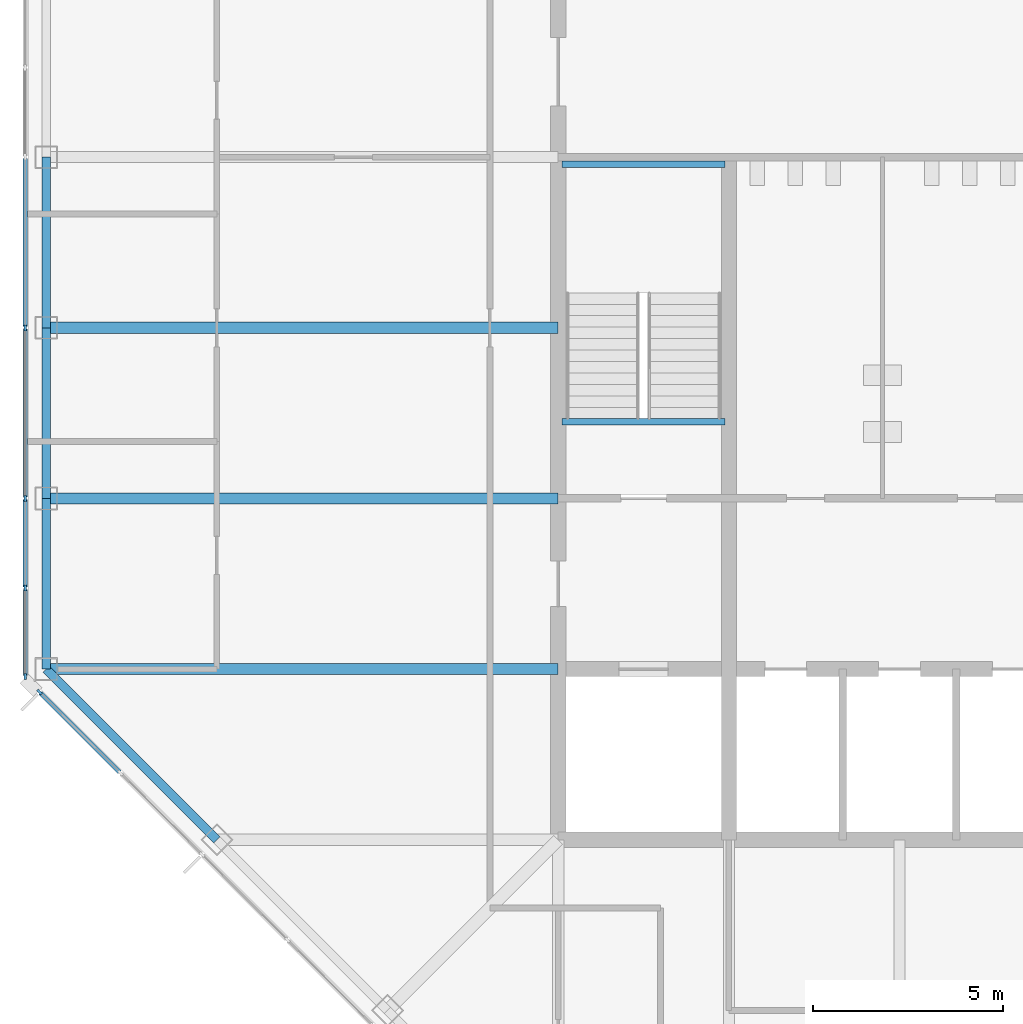
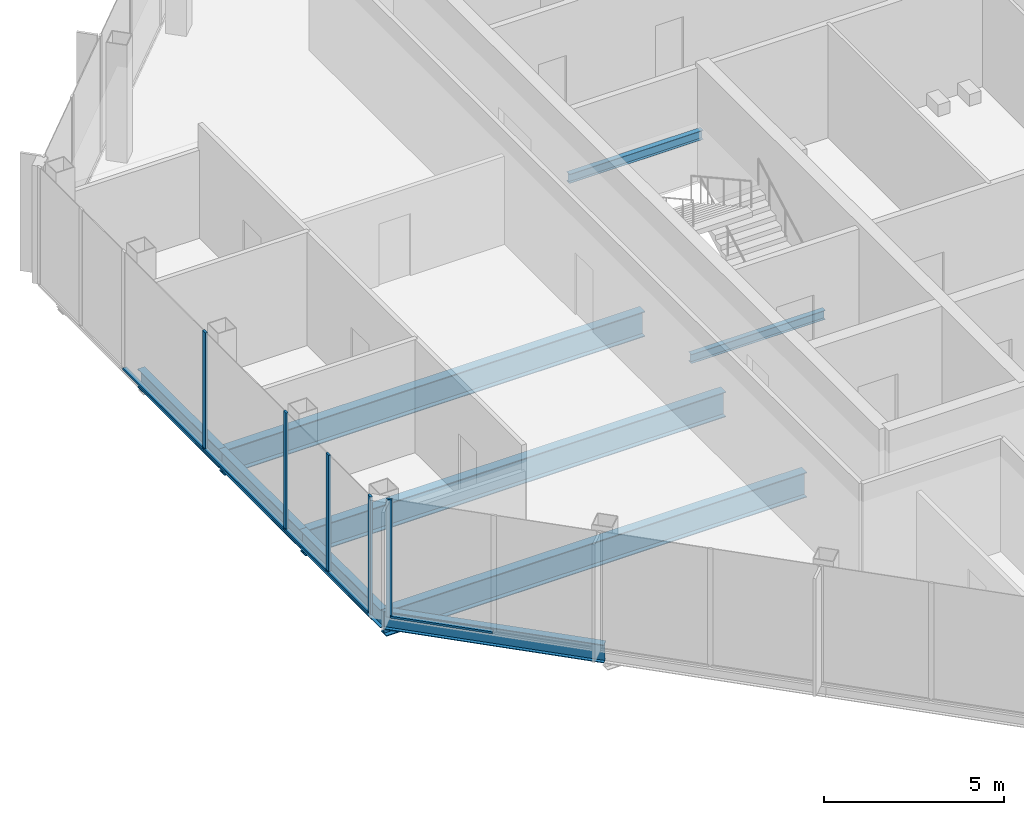
# One storey, part 3 of 14: 10 members, 9 beams, 2 elements without a shape of their own.
"""IFC4 building model written with IfcOpenShell, lengths in metres."""

from ifc_helpers import new_model, si_unit, direction, frame, origin, origin_2d, place, context, subcontext, project, spatial, rectangle, i_section, extrude, material, material_profile, profile_set, type_object, element, aggregate, save


model = new_model("IFC4")

# Units and contexts
model_context = context("Model", 3, precision=1e-05, world=origin(), true_north=direction((0.0, 1.0)))
body_context = subcontext(model_context, "Body", "Model", "MODEL_VIEW")
ifc_project = project(units=[si_unit("LENGTHUNIT", "METRE"), si_unit("AREAUNIT", "SQUARE_METRE"), si_unit("VOLUMEUNIT", "CUBIC_METRE"), si_unit("PLANEANGLEUNIT", "RADIAN"), si_unit("MASSUNIT", "GRAM", prefix="KILO")], contexts=[model_context])

# Site, building, storey
site_placement = place(None, origin())
site = spatial("IfcSite", under=ifc_project, at=site_placement, CompositionType="ELEMENT")
building_placement = place(site_placement, origin())
building = spatial("IfcBuilding", under=site, at=building_placement, Name="Corais Broadcast Tower", CompositionType="ELEMENT")
storey_placement = place(building_placement, frame((0.0, 0.0, 286.60009765625)))
storey = spatial("IfcBuildingStorey", under=building, at=storey_placement, Name="L67", CompositionType="ELEMENT", Elevation=286.60009765625)

# Beams
ifc_material_1 = material(Name="Steel ASTM A572 Grade 50", Category="steel")
ifc_material_profile_1 = material_profile(ifc_material_1, i_section(OverallWidth=0.2939453125, OverallDepth=0.85107421875, WebThickness=0.01611328125, FlangeThickness=0.02685546875, at=origin_2d()), Name="W840x226")
ifc_profile_set_1 = profile_set([ifc_material_profile_1], Name="Steel ASTM A572 Grade 50")
beam_type_1 = type_object("IfcBeamType", Name="Floor beam W840x226", PredefinedType="BEAM", material=ifc_profile_set_1)
for number, where, z_axis, x_axis, name in (
    (1, (0.0, 18.0, -0.585693359375), (1.0, 0.0, 0.0), (0.0, 1.0, 0.0), "B1 E/3 to E/6"),
    (2, (0.0, 22.5, -0.585693359375), (1.0, 0.0, 0.0), (0.0, 1.0, 0.0), "B1 F/3 to F/6"),
    (3, (0.0, 27.0, -0.585693359375), (1.0, 0.0, 0.0), (0.0, 1.0, 0.0), "B1 G/3 to G/6"),
):
    element("IfcBeam", number, at=place(storey_placement, frame(where, z_axis=z_axis, x_axis=x_axis)), inside=storey, type_object=beam_type_1, Name=name, PredefinedType="BEAM", context=body_context, shape_type="SweptSolid", body=[
        extrude(i_section(OverallWidth=0.2939453125, OverallDepth=0.85107421875, WebThickness=0.01611328125, FlangeThickness=0.02685546875, at=origin_2d()), origin(), (0.0, 0.0, 1.0), 13.5),
    ])
ifc_material_2 = material(Name="Steel ASTM A572 Grade 50", Category="steel")
ifc_material_profile_2 = material_profile(ifc_material_2, i_section(OverallWidth=0.1650390625, OverallDepth=0.31005859375, WebThickness=0.005859375, FlangeThickness=0.009765625, at=origin_2d()), Name="W310x38.7")
ifc_profile_set_2 = profile_set([ifc_material_profile_2], Name="Steel ASTM A572 Grade 50")
beam_type_2 = type_object("IfcBeamType", Name="Landing trimmer W310x38.7", PredefinedType="BEAM", material=ifc_profile_set_2)
for number, where, z_axis, x_axis, name in (
    (4, (13.60009765625, 24.52490234375, -0.35498046875), (1.0, 0.0, 0.0), (0.0, 1.0, 0.0), "LT1 stair A landing trimmer L67"),
    (5, (13.60009765625, 31.31005859375, 1.64501953125), (1.0, 0.0, 0.0), (0.0, 1.0, 0.0), "LT1 stair A half landing trimmer L67"),
):
    element("IfcBeam", number, at=place(storey_placement, frame(where, z_axis=z_axis, x_axis=x_axis)), inside=storey, type_object=beam_type_2, Name=name, PredefinedType="BEAM", context=body_context, shape_type="SweptSolid", body=[
        extrude(i_section(OverallWidth=0.1650390625, OverallDepth=0.31005859375, WebThickness=0.005859375, FlangeThickness=0.009765625, at=origin_2d()), origin(), (0.0, 0.0, 1.0), 4.2998046875),
    ])

# Curtain wall, member
ifc_material_3 = material(Name="Aluminium and glass", Category="aluminium")
curtain_wall_type = type_object("IfcCurtainWallType", Name="Unitised fritted curtain wall CW3", PredefinedType="NOTDEFINED", material=ifc_material_3)
curtain_wall_1_placement = place(storey_placement, origin())
curtain_wall_1 = element("IfcCurtainWall", 6, at=curtain_wall_1_placement, inside=storey, type_object=curtain_wall_type, Name="CW3 curtain wall L67 1", PredefinedType="NOTDEFINED")
ifc_material_4 = material(Name="Aluminium 6063-T6", Category="aluminium")
ifc_material_profile_3 = material_profile(ifc_material_4, rectangle(XDim=0.06494140625, YDim=0.159912109375, at=origin_2d()), Name="Mullion CW3 65x160")
ifc_profile_set_3 = profile_set([ifc_material_profile_3], Name="Aluminium 6063-T6")
member_type_1 = type_object("IfcMemberType", Name="Mullion CW3 65x160", PredefinedType="MULLION", material=ifc_profile_set_3)
member_1_placement = place(storey_placement, frame((-0.17333984375, 17.3955078125, 0.0), z_axis=(0.0, 0.0, 1.0), x_axis=(-0.707106781187, -0.707106781187, 0.0)))
member_1 = element("IfcMember", 7, at=member_1_placement, type_object=member_type_1, Name="CW3 mullion 9", PredefinedType="MULLION", context=body_context, shape_type="SweptSolid", body=[
    extrude(rectangle(XDim=0.06494140625, YDim=0.159912109375, at=origin_2d()), origin(), (0.0, 0.0, 1.0), 4.0),
])

# Curtain wall, members
curtain_wall_2_placement = place(storey_placement, origin())
curtain_wall_2 = element("IfcCurtainWall", 8, at=curtain_wall_2_placement, inside=storey, type_object=curtain_wall_type, Name="CW3 curtain wall L67 2", PredefinedType="NOTDEFINED")
member_2_placement = place(storey_placement, frame((-0.550048828125, 17.8046875, 0.0), z_axis=(0.0, 0.0, 1.0), x_axis=(-1.0, 0.0, 0.0)))
member_2 = element("IfcMember", 9, at=member_2_placement, type_object=member_type_1, Name="CW3 mullion 1", PredefinedType="MULLION", context=body_context, shape_type="SweptSolid", body=[
    extrude(rectangle(XDim=0.06494140625, YDim=0.159912109375, at=origin_2d()), origin(), (0.0, 0.0, 1.0), 4.0),
])
member_3_placement = place(storey_placement, frame((-0.550048828125, 20.135986328125, 0.0), z_axis=(0.0, 0.0, 1.0), x_axis=(-1.0, 0.0, 0.0)))
member_3 = element("IfcMember", 10, at=member_3_placement, type_object=member_type_1, Name="CW3 mullion 2", PredefinedType="MULLION", context=body_context, shape_type="SweptSolid", body=[
    extrude(rectangle(XDim=0.06494140625, YDim=0.159912109375, at=origin_2d()), origin(), (0.0, 0.0, 1.0), 4.0),
])
member_4_placement = place(storey_placement, frame((-0.550048828125, 22.5, 0.0), z_axis=(0.0, 0.0, 1.0), x_axis=(-1.0, 0.0, 0.0)))
member_4 = element("IfcMember", 11, at=member_4_placement, type_object=member_type_1, Name="CW3 mullion 3", PredefinedType="MULLION", context=body_context, shape_type="SweptSolid", body=[
    extrude(rectangle(XDim=0.06494140625, YDim=0.159912109375, at=origin_2d()), origin(), (0.0, 0.0, 1.0), 4.0),
])
member_5_placement = place(storey_placement, frame((-0.550048828125, 27.0, 0.0), z_axis=(0.0, 0.0, 1.0), x_axis=(-1.0, 0.0, 0.0)))
member_5 = element("IfcMember", 12, at=member_5_placement, type_object=member_type_1, Name="CW3 mullion 4", PredefinedType="MULLION", context=body_context, shape_type="SweptSolid", body=[
    extrude(rectangle(XDim=0.06494140625, YDim=0.159912109375, at=origin_2d()), origin(), (0.0, 0.0, 1.0), 4.0),
])

# Beams
ifc_material_5 = material(Name="Steel ASTM A572 Grade 50", Category="steel")
ifc_material_profile_4 = material_profile(ifc_material_5, i_section(OverallWidth=0.22998046875, OverallDepth=0.616943359375, WebThickness=0.01318359375, FlangeThickness=0.022216796875, at=origin_2d()), Name="W610x140")
ifc_profile_set_4 = profile_set([ifc_material_profile_4], Name="Steel ASTM A572 Grade 50")
beam_type_3 = type_object("IfcBeamType", Name="Spandrel W610x140", PredefinedType="BEAM", material=ifc_profile_set_4)
beam_placement = place(storey_placement, frame((0.0, 18.0, -0.468505859375), z_axis=(0.707106781187, -0.707106781187, 0.0), x_axis=(0.707106781187, 0.707106781187, 0.0)))
element("IfcBeam", 13, at=beam_placement, inside=storey, type_object=beam_type_3, Name="SB3 E/3 to D/4", PredefinedType="BEAM", context=body_context, shape_type="SweptSolid", body=[
    extrude(i_section(OverallWidth=0.22998046875, OverallDepth=0.616943359375, WebThickness=0.01318359375, FlangeThickness=0.022216796875, at=origin_2d()), origin(), (0.0, 0.0, 1.0), 6.364013671875),
])
for number, where, z_axis, x_axis, name in (
    (14, (0.0, 22.5, -0.468505859375), (0.0, -1.0, 0.0), (1.0, 0.0, 0.0), "SB3 F/3 to E/3"),
    (15, (0.0, 27.0, -0.468505859375), (0.0, -1.0, 0.0), (1.0, 0.0, 0.0), "SB3 G/3 to F/3"),
    (16, (0.0, 31.5, -0.468505859375), (0.0, -1.0, 0.0), (1.0, 0.0, 0.0), "SB3 H/3 to G/3"),
):
    element("IfcBeam", number, at=place(storey_placement, frame(where, z_axis=z_axis, x_axis=x_axis)), inside=storey, type_object=beam_type_3, Name=name, PredefinedType="BEAM", context=body_context, shape_type="SweptSolid", body=[
        extrude(i_section(OverallWidth=0.22998046875, OverallDepth=0.616943359375, WebThickness=0.01318359375, FlangeThickness=0.022216796875, at=origin_2d()), origin(), (0.0, 0.0, 1.0), 4.5),
    ])

# Member
ifc_material_6 = material(Name="Aluminium 6063-T6", Category="aluminium")
ifc_material_profile_5 = material_profile(ifc_material_6, rectangle(XDim=0.1201171875, YDim=0.06494140625, at=origin_2d()), Name="Transom CW3 65x120")
ifc_profile_set_5 = profile_set([ifc_material_profile_5], Name="Aluminium 6063-T6")
member_type_2 = type_object("IfcMemberType", Name="Transom CW3 65x120", PredefinedType="USERDEFINED", material=ifc_profile_set_5)
member_6_placement = place(storey_placement, frame((1.934326171875, 15.287841796875, 0.032470703125), z_axis=(-0.707106781187, 0.707106781187, 0.0), x_axis=(-0.707106781187, -0.707106781187, 0.0)))
member_6 = element("IfcMember", 17, at=member_6_placement, type_object=member_type_2, Name="CW3 transom 8.1", ObjectType="TRANSOM", PredefinedType="USERDEFINED", context=body_context, shape_type="SweptSolid", body=[
    extrude(rectangle(XDim=0.1201171875, YDim=0.06494140625, at=origin_2d()), origin(), (0.0, 0.0, 1.0), 2.9482421875),
])

aggregate(curtain_wall_1, [member_1, member_6])

member_7_placement = place(storey_placement, frame((-0.550048828125, 17.837158203125, 0.032470703125), z_axis=(0.0, 1.0, 0.0), x_axis=(-1.0, 0.0, 0.0)))
member_7 = element("IfcMember", 18, at=member_7_placement, type_object=member_type_2, Name="CW3 transom 1.1", ObjectType="TRANSOM", PredefinedType="USERDEFINED", context=body_context, shape_type="SweptSolid", body=[
    extrude(rectangle(XDim=0.1201171875, YDim=0.06494140625, at=origin_2d()), origin(), (0.0, 0.0, 1.0), 2.266357421875),
])

member_8_placement = place(storey_placement, frame((-0.550048828125, 20.168701171875, 0.032470703125), z_axis=(0.0, 1.0, 0.0), x_axis=(-1.0, 0.0, 0.0)))
member_8 = element("IfcMember", 19, at=member_8_placement, type_object=member_type_2, Name="CW3 transom 2.1", ObjectType="TRANSOM", PredefinedType="USERDEFINED", context=body_context, shape_type="SweptSolid", body=[
    extrude(rectangle(XDim=0.1201171875, YDim=0.06494140625, at=origin_2d()), origin(), (0.0, 0.0, 1.0), 2.298828125),
])

member_9_placement = place(storey_placement, frame((-0.550048828125, 22.532470703125, 0.032470703125), z_axis=(0.0, 1.0, 0.0), x_axis=(-1.0, 0.0, 0.0)))
member_9 = element("IfcMember", 20, at=member_9_placement, type_object=member_type_2, Name="CW3 transom 3.1", ObjectType="TRANSOM", PredefinedType="USERDEFINED", context=body_context, shape_type="SweptSolid", body=[
    extrude(rectangle(XDim=0.1201171875, YDim=0.06494140625, at=origin_2d()), origin(), (0.0, 0.0, 1.0), 4.43505859375),
])

member_10_placement = place(storey_placement, frame((-0.550048828125, 27.032470703125, 0.032470703125), z_axis=(0.0, 1.0, 0.0), x_axis=(-1.0, 0.0, 0.0)))
member_10 = element("IfcMember", 21, at=member_10_placement, type_object=member_type_2, Name="CW3 transom 4.1", ObjectType="TRANSOM", PredefinedType="USERDEFINED", context=body_context, shape_type="SweptSolid", body=[
    extrude(rectangle(XDim=0.1201171875, YDim=0.06494140625, at=origin_2d()), origin(), (0.0, 0.0, 1.0), 4.43505859375),
])

aggregate(curtain_wall_2, [member_2, member_3, member_4, member_5, member_7, member_8, member_9, member_10])

save(model, "model.ifc")
